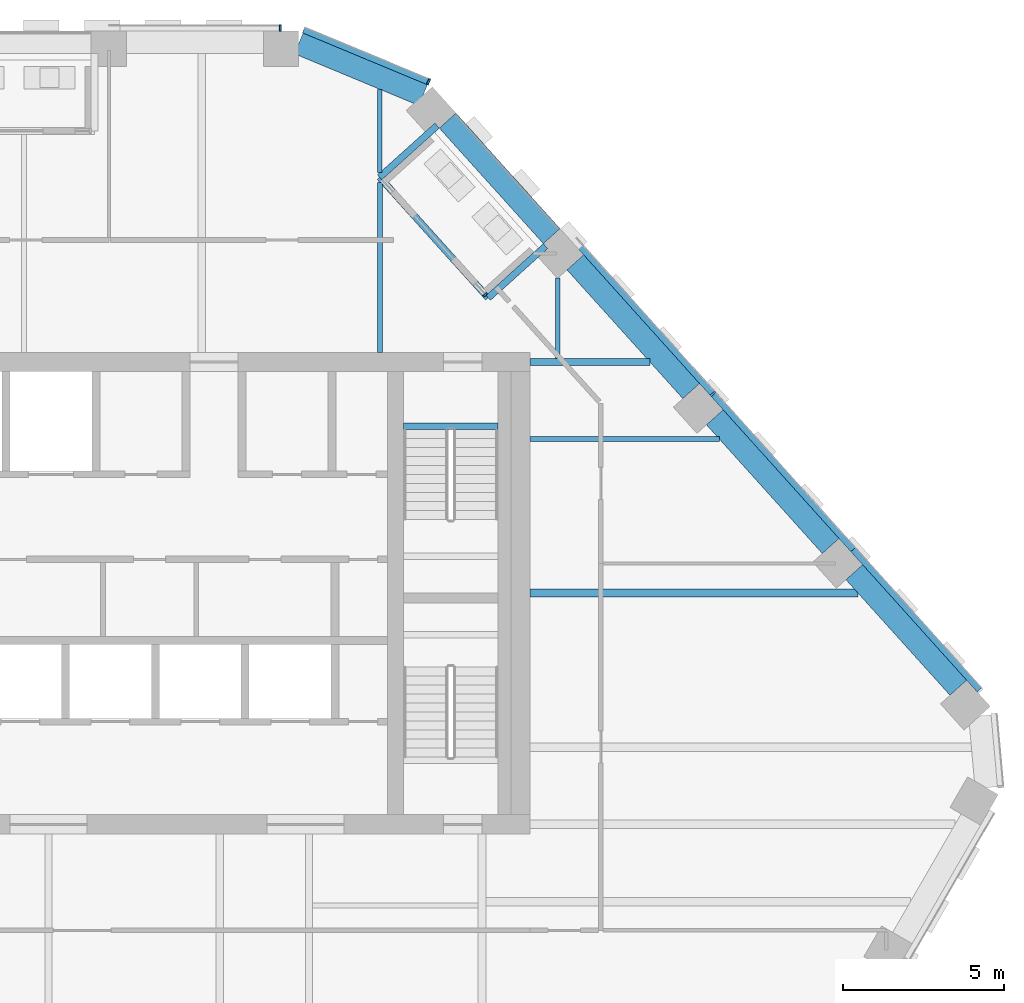
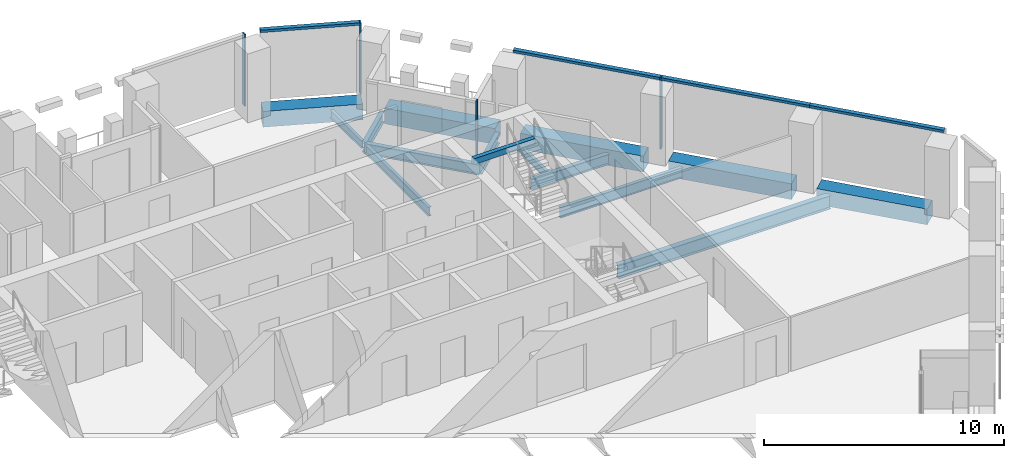
# One storey, part 8 of 24: 15 beams, 8 members, 4 elements without a shape of their own.
"""IFC4 building model written with IfcOpenShell, lengths in metres."""

from ifc_helpers import new_model, si_unit, direction, frame, origin, origin_2d, place, context, subcontext, project, spatial, rectangle, i_section, extrude, material, layer, layer_set, material_profile, profile_set, type_object, element, aggregate, save


model = new_model("IFC4")

# Units and contexts
model_context = context("Model", 3, precision=1e-05, world=origin(), true_north=direction((0.0, 1.0)))
body_context = subcontext(model_context, "Body", "Model", "MODEL_VIEW")
ifc_project = project(units=[si_unit("LENGTHUNIT", "METRE"), si_unit("AREAUNIT", "SQUARE_METRE"), si_unit("VOLUMEUNIT", "CUBIC_METRE"), si_unit("PLANEANGLEUNIT", "RADIAN"), si_unit("MASSUNIT", "GRAM", prefix="KILO")], contexts=[model_context])

# Site, building, storey
site_placement = place(None, origin())
site = spatial("IfcSite", under=ifc_project, at=site_placement, CompositionType="ELEMENT")
building_placement = place(site_placement, origin())
building = spatial("IfcBuilding", under=site, at=building_placement, Name="Isthmus Gate Tower", CompositionType="ELEMENT")
storey_placement = place(building_placement, frame((0.0, 0.0, 234.550048828125)))
storey = spatial("IfcBuildingStorey", under=building, at=storey_placement, Name="L59", CompositionType="ELEMENT", Elevation=234.550048828125)

# Curtain wall, member
ifc_material_1 = material(Name="Aluminium, pale champagne anodised", Category="aluminium")
ifc_layer_1 = layer(ifc_material_1, 0.199951171875)
ifc_layer_set_1 = layer_set([ifc_layer_1], Name="CW-1 UNITISED CURTAIN WALL 200 DEEP")
curtain_wall_type_1 = type_object("IfcCurtainWallType", Name="CW-1 UNITISED CURTAIN WALL 200 DEEP", PredefinedType="NOTDEFINED", material=ifc_layer_set_1)
curtain_wall_1_placement = place(storey_placement, origin())
curtain_wall_1 = element("IfcCurtainWall", 1, at=curtain_wall_1_placement, inside=storey, type_object=curtain_wall_type_1, Name="CW-1 N L59", PredefinedType="NOTDEFINED")
ifc_material_2 = material(Name="Aluminium, pale champagne anodised", Category="aluminium")
ifc_material_profile_1 = material_profile(ifc_material_2, rectangle(XDim=0.06005859375, YDim=0.199951171875, at=origin_2d()), Name="60x200")
ifc_profile_set_1 = profile_set([ifc_material_profile_1], Name="Aluminium, pale champagne anodised")
member_type_1 = type_object("IfcMemberType", Name="CW-1 MULLION 60 X 200", PredefinedType="MULLION", material=ifc_profile_set_1)
member_1_placement = place(storey_placement, frame((7.211181640625, 25.10009765625, 0.0), z_axis=(0.0, 0.0, 1.0), x_axis=(-1.0, 0.0, 0.0)))
member_1 = element("IfcMember", 2, at=member_1_placement, type_object=member_type_1, Name="CW-1 mullion", PredefinedType="MULLION", context=body_context, shape_type="SweptSolid", body=[
    extrude(rectangle(XDim=0.06005859375, YDim=0.199951171875, at=origin_2d()), origin(), (0.0, 0.0, 1.0), 3.64990234375),
])
aggregate(curtain_wall_1, [member_1])

curtain_wall_2_placement = place(storey_placement, origin())
curtain_wall_2 = element("IfcCurtainWall", 3, at=curtain_wall_2_placement, inside=storey, type_object=curtain_wall_type_1, Name="CW-1 NE L59", PredefinedType="NOTDEFINED")
member_2_placement = place(storey_placement, frame((20.696533203125, 13.709228515625, 0.0), z_axis=(0.0, 0.0, 1.0), x_axis=(-0.669130606359, 0.743144825477, 0.0)))
member_2 = element("IfcMember", 4, at=member_2_placement, type_object=member_type_1, Name="CW-1 mullion", PredefinedType="MULLION", context=body_context, shape_type="SweptSolid", body=[
    extrude(rectangle(XDim=0.06005859375, YDim=0.199951171875, at=origin_2d()), origin(), (0.0, 0.0, 1.0), 3.64990234375),
])

curtain_wall_3_placement = place(storey_placement, origin())
curtain_wall_3 = element("IfcCurtainWall", 5, at=curtain_wall_3_placement, inside=storey, type_object=curtain_wall_type_1, Name="CW-1 NE-N L59", PredefinedType="NOTDEFINED")
member_3_placement = place(storey_placement, frame((11.83349609375, 23.427490234375, 0.0), z_axis=(0.0, 0.0, 1.0), x_axis=(-0.923353128387, 0.383951820282, 0.0)))
member_3 = element("IfcMember", 6, at=member_3_placement, type_object=member_type_1, Name="CW-1 mullion", PredefinedType="MULLION", context=body_context, shape_type="SweptSolid", body=[
    extrude(rectangle(XDim=0.06005859375, YDim=0.199951171875, at=origin_2d()), origin(), (0.0, 0.0, 1.0), 3.64990234375),
])

# Member
ifc_material_3 = material(Name="Aluminium, pale champagne anodised", Category="aluminium")
ifc_material_profile_2 = material_profile(ifc_material_3, rectangle(XDim=0.199951171875, YDim=0.1298828125, at=origin_2d()), Name="200x130")
ifc_profile_set_2 = profile_set([ifc_material_profile_2], Name="Aluminium, pale champagne anodised")
member_type_2 = type_object("IfcMemberType", Name="CW-1 TRANSOM 200 X 130", PredefinedType="USERDEFINED", material=ifc_profile_set_2)
member_4_placement = place(storey_placement, frame((28.99609375, 4.491455078125, 3.5849609375), z_axis=(-0.669134411332, 0.743141399447, 0.0), x_axis=(-0.743141399447, -0.669134411332, 0.0)))
member_4 = element("IfcMember", 7, at=member_4_placement, type_object=member_type_2, Name="CW-1 transom", ObjectType="TRANSOM", PredefinedType="USERDEFINED", context=body_context, shape_type="SweptSolid", body=[
    extrude(rectangle(XDim=0.199951171875, YDim=0.1298828125, at=origin_2d()), origin(), (0.0, 0.0, 1.0), 5.8818359375),
])

member_5_placement = place(storey_placement, frame((25.060302734375, 8.862548828125, 3.5849609375), z_axis=(-0.669112239491, 0.743161362668, 0.0), x_axis=(-0.743161362668, -0.669112239491, 0.0)))
member_5 = element("IfcMember", 8, at=member_5_placement, type_object=member_type_2, Name="CW-1 transom", ObjectType="TRANSOM", PredefinedType="USERDEFINED", context=body_context, shape_type="SweptSolid", body=[
    extrude(rectangle(XDim=0.199951171875, YDim=0.1298828125, at=origin_2d()), origin(), (0.0, 0.0, 1.0), 6.49169921875),
])

member_6_placement = place(storey_placement, frame((20.67626953125, 13.7314453125, 3.5849609375), z_axis=(-0.669128292476, 0.7431469089, 0.0), x_axis=(-0.7431469089, -0.669128292476, 0.0)))
member_6 = element("IfcMember", 9, at=member_6_placement, type_object=member_type_2, Name="CW-1 transom", ObjectType="TRANSOM", PredefinedType="USERDEFINED", context=body_context, shape_type="SweptSolid", body=[
    extrude(rectangle(XDim=0.199951171875, YDim=0.1298828125, at=origin_2d()), origin(), (0.0, 0.0, 1.0), 6.431884765625),
])

aggregate(curtain_wall_2, [member_4, member_5, member_2, member_6])

member_7_placement = place(storey_placement, frame((11.8056640625, 23.43896484375, 3.5849609375), z_axis=(-0.923358236369, 0.383939536033, 0.0), x_axis=(-0.383939536033, -0.923358236369, 0.0)))
member_7 = element("IfcMember", 10, at=member_7_placement, type_object=member_type_2, Name="CW-1 transom", ObjectType="TRANSOM", PredefinedType="USERDEFINED", context=body_context, shape_type="SweptSolid", body=[
    extrude(rectangle(XDim=0.199951171875, YDim=0.1298828125, at=origin_2d()), origin(), (0.0, 0.0, 1.0), 4.181640625),
])

aggregate(curtain_wall_3, [member_3, member_7])

# Curtain wall, member
ifc_material_4 = material(Name="Aluminium, pale champagne anodised", Category="aluminium")
ifc_layer_2 = layer(ifc_material_4, 0.14990234375)
ifc_layer_set_2 = layer_set([ifc_layer_2], Name="CW-6 LOGGIA BACK WALL GLAZING 150 DEEP")
curtain_wall_type_2 = type_object("IfcCurtainWallType", Name="CW-6 LOGGIA BACK WALL GLAZING 150 DEEP", PredefinedType="NOTDEFINED", material=ifc_layer_set_2)
curtain_wall_4_placement = place(storey_placement, origin())
curtain_wall_4 = element("IfcCurtainWall", 11, at=curtain_wall_4_placement, inside=storey, type_object=curtain_wall_type_2, Name="CW-6 NE L59", PredefinedType="NOTDEFINED")
ifc_material_5 = material(Name="Aluminium, pale champagne anodised", Category="aluminium")
ifc_material_profile_3 = material_profile(ifc_material_5, rectangle(XDim=0.06005859375, YDim=0.14990234375, at=origin_2d()), Name="60x150")
ifc_profile_set_3 = profile_set([ifc_material_profile_3], Name="Aluminium, pale champagne anodised")
member_type_3 = type_object("IfcMemberType", Name="CW-6 MULLION 60 X 150", PredefinedType="MULLION", material=ifc_profile_set_3)
member_8_placement = place(storey_placement, frame((13.6064453125, 16.801025390625, 0.0), z_axis=(0.0, 0.0, 1.0), x_axis=(-0.669130606359, 0.743144825477, 0.0)))
member_8 = element("IfcMember", 12, at=member_8_placement, type_object=member_type_3, Name="CW-6 mullion", PredefinedType="MULLION", context=body_context, shape_type="SweptSolid", body=[
    extrude(rectangle(XDim=0.06005859375, YDim=0.14990234375, at=origin_2d()), origin(), (0.0, 0.0, 1.0), 3.050048828125),
])
aggregate(curtain_wall_4, [member_8])

# Beams
ifc_material_6 = material(Name="Concrete f'c 50 MPa", Category="concrete")
ifc_material_profile_4 = material_profile(ifc_material_6, rectangle(XDim=0.699951171875, YDim=0.800048828125, at=origin_2d()), Name="RC 700X800")
ifc_profile_set_4 = profile_set([ifc_material_profile_4], Name="Concrete f'c 50 MPa")
beam_type_1 = type_object("IfcBeamType", Name="RC SPANDREL 700 X 800", PredefinedType="SPANDREL", material=ifc_profile_set_4)
beam_1_placement = place(storey_placement, frame((7.791015625, 24.620849609375, -0.400146484375), z_axis=(0.923360646135, -0.383933740597, 0.0), x_axis=(0.383933740597, 0.923360646135, 0.0)))
element("IfcBeam", 13, at=beam_1_placement, inside=storey, type_object=beam_type_1, Name="str-spandrel-L59-00", PredefinedType="SPANDREL", context=body_context, shape_type="SweptSolid", body=[
    extrude(rectangle(XDim=0.699951171875, YDim=0.800048828125, at=origin_2d()), origin(), (0.0, 0.0, 1.0), 4.19677734375),
])
beam_2_placement = place(storey_placement, frame((12.43017578125, 22.21728515625, -0.400146484375), z_axis=(0.669129069044, -0.743146209679, 0.0), x_axis=(0.743146209679, 0.669129069044, 0.0)))
element("IfcBeam", 14, at=beam_2_placement, inside=storey, type_object=beam_type_1, Name="str-spandrel-L59-01", PredefinedType="SPANDREL", context=body_context, shape_type="SweptSolid", body=[
    extrude(rectangle(XDim=0.699951171875, YDim=0.800048828125, at=origin_2d()), origin(), (0.0, 0.0, 1.0), 4.842041015625),
])
beam_3_placement = place(storey_placement, frame((16.40625, 17.801513671875, -0.400146484375), z_axis=(0.669122314994, -0.743152290972, 0.0), x_axis=(0.743152290972, 0.669122314994, 0.0)))
element("IfcBeam", 15, at=beam_3_placement, inside=storey, type_object=beam_type_1, Name="str-spandrel-L59-02", PredefinedType="SPANDREL", context=body_context, shape_type="SweptSolid", body=[
    extrude(rectangle(XDim=0.699951171875, YDim=0.800048828125, at=origin_2d()), origin(), (0.0, 0.0, 1.0), 5.39208984375),
])
beam_4_placement = place(storey_placement, frame((20.75, 12.97705078125, -0.400146484375), z_axis=(0.669144830508, -0.743132017749, 0.0), x_axis=(0.743132017749, 0.669144830508, 0.0)))
element("IfcBeam", 16, at=beam_4_placement, inside=storey, type_object=beam_type_1, Name="str-spandrel-L59-03", PredefinedType="SPANDREL", context=body_context, shape_type="SweptSolid", body=[
    extrude(rectangle(XDim=0.699951171875, YDim=0.800048828125, at=origin_2d()), origin(), (0.0, 0.0, 1.0), 5.391845703125),
])
beam_5_placement = place(storey_placement, frame((25.093994140625, 8.152587890625, -0.400146484375), z_axis=(0.669154141686, -0.743123633499, 0.0), x_axis=(0.743123633499, 0.669154141686, 0.0)))
element("IfcBeam", 17, at=beam_5_placement, inside=storey, type_object=beam_type_1, Name="str-spandrel-L59-04", PredefinedType="SPANDREL", context=body_context, shape_type="SweptSolid", body=[
    extrude(rectangle(XDim=0.699951171875, YDim=0.800048828125, at=origin_2d()), origin(), (0.0, 0.0, 1.0), 4.842041015625),
])
ifc_material_7 = material(Name="Concrete f'c 40 MPa", Category="concrete")
ifc_material_profile_5 = material_profile(ifc_material_7, rectangle(XDim=0.199951171875, YDim=0.300048828125, at=origin_2d()), Name="STAIR LANDING BEAM RC 200 X 300")
ifc_profile_set_5 = profile_set([ifc_material_profile_5], Name="Concrete f'c 40 MPa")
beam_type_2 = type_object("IfcBeamType", Name="STAIR LANDING BEAM RC 200 X 300", PredefinedType="BEAM", material=ifc_profile_set_5)
beam_6_placement = place(storey_placement, frame((11.050048828125, 12.7001953125, 3.349853515625), z_axis=(1.0, 0.0, 0.0), x_axis=(0.0, 1.0, 0.0)))
element("IfcBeam", 18, at=beam_6_placement, inside=storey, type_object=beam_type_2, Name="L59 ST2 floor-edge seat beam", PredefinedType="BEAM", context=body_context, shape_type="SweptSolid", body=[
    extrude(rectangle(XDim=0.199951171875, YDim=0.300048828125, at=origin_2d()), origin(), (0.0, 0.0, 1.0), 2.949951171875),
])
ifc_material_8 = material(Name="Structural steel ASTM A992 Gr 50", Category="steel")
ifc_material_profile_6 = material_profile(ifc_material_8, i_section(OverallWidth=0.1396484375, OverallDepth=0.4033203125, WebThickness=0.00634765625, FlangeThickness=0.010986328125, at=origin_2d()), Name="W16X31")
ifc_profile_set_6 = profile_set([ifc_material_profile_6], Name="Structural steel ASTM A992 Gr 50")
beam_type_3 = type_object("IfcBeamType", Name="STEEL FLOOR BEAM W16X31", PredefinedType="JOIST", material=ifc_profile_set_6)
beam_7_placement = place(storey_placement, frame((10.3193359375, 20.598388671875, -0.3515625), z_axis=(0.0, 1.0, 0.0), x_axis=(-1.0, 0.0, 0.0)))
element("IfcBeam", 19, at=beam_7_placement, inside=storey, type_object=beam_type_3, Name="str-beam-L59-07-06", PredefinedType="JOIST", context=body_context, shape_type="SweptSolid", body=[
    extrude(i_section(OverallWidth=0.1396484375, OverallDepth=0.4033203125, WebThickness=0.00634765625, FlangeThickness=0.010986328125, at=origin_2d()), origin(), (0.0, 0.0, 1.0), 2.59228515625),
])
beam_8_placement = place(storey_placement, frame((15.862060546875, 14.8046875, -0.3515625), z_axis=(0.0, 1.0, 0.0), x_axis=(-1.0, 0.0, 0.0)))
element("IfcBeam", 20, at=beam_8_placement, inside=storey, type_object=beam_type_3, Name="str-beam-L59-07-07", PredefinedType="JOIST", context=body_context, shape_type="SweptSolid", body=[
    extrude(i_section(OverallWidth=0.1396484375, OverallDepth=0.4033203125, WebThickness=0.00634765625, FlangeThickness=0.010986328125, at=origin_2d()), origin(), (0.0, 0.0, 1.0), 2.5068359375),
])
ifc_material_9 = material(Name="Structural steel ASTM A992 Gr 50", Category="steel")
ifc_material_profile_7 = material_profile(ifc_material_9, i_section(OverallWidth=0.15234375, OverallDepth=0.45068359375, WebThickness=0.0078125, FlangeThickness=0.010986328125, at=origin_2d()), Name="W18X35")
ifc_profile_set_7 = profile_set([ifc_material_profile_7], Name="Structural steel ASTM A992 Gr 50")
beam_type_4 = type_object("IfcBeamType", Name="STEEL FLOOR BEAM W18X35", PredefinedType="JOIST", material=ifc_profile_set_7)
beam_9_placement = place(storey_placement, frame((10.3193359375, 15.0, -0.37548828125), z_axis=(0.0, 1.0, 0.0), x_axis=(-1.0, 0.0, 0.0)))
element("IfcBeam", 21, at=beam_9_placement, inside=storey, type_object=beam_type_4, Name="str-beam-L59-07-05", PredefinedType="JOIST", context=body_context, shape_type="SweptSolid", body=[
    extrude(i_section(OverallWidth=0.15234375, OverallDepth=0.45068359375, WebThickness=0.0078125, FlangeThickness=0.010986328125, at=origin_2d()), origin(), (0.0, 0.0, 1.0), 5.2880859375),
])
ifc_material_10 = material(Name="Structural steel ASTM A992 Gr 50", Category="steel")
ifc_material_profile_8 = material_profile(ifc_material_10, i_section(OverallWidth=0.1650390625, OverallDepth=0.52392578125, WebThickness=0.009521484375, FlangeThickness=0.010986328125, at=origin_2d()), Name="W21X44")
ifc_profile_set_8 = profile_set([ifc_material_profile_8], Name="Structural steel ASTM A992 Gr 50")
beam_type_5 = type_object("IfcBeamType", Name="STEEL FLOOR BEAM W21X44", PredefinedType="JOIST", material=ifc_profile_set_8)
beam_10_placement = place(storey_placement, frame((15.0, 12.300048828125, -0.412109375), z_axis=(1.0, 0.0, 0.0), x_axis=(0.0, 1.0, 0.0)))
element("IfcBeam", 22, at=beam_10_placement, inside=storey, type_object=beam_type_5, Name="str-beam-L59-17-02", PredefinedType="JOIST", context=body_context, shape_type="SweptSolid", body=[
    extrude(i_section(OverallWidth=0.1650390625, OverallDepth=0.52392578125, WebThickness=0.009521484375, FlangeThickness=0.010986328125, at=origin_2d()), origin(), (0.0, 0.0, 1.0), 5.888671875),
])
ifc_material_11 = material(Name="Structural steel ASTM A992 Gr 50", Category="steel")
ifc_material_profile_9 = material_profile(ifc_material_11, i_section(OverallWidth=0.25390625, OverallDepth=0.679443359375, WebThickness=0.010986328125, FlangeThickness=0.015869140625, at=origin_2d()), Name="W27X84")
ifc_profile_set_9 = profile_set([ifc_material_profile_9], Name="Structural steel ASTM A992 Gr 50")
beam_type_6 = type_object("IfcBeamType", Name="STEEL FLOOR BEAM W27X84", PredefinedType="JOIST", material=ifc_profile_set_9)
beam_11_placement = place(storey_placement, frame((15.0, 7.5, -0.48974609375), z_axis=(1.0, 0.0, 0.0), x_axis=(0.0, 1.0, 0.0)))
element("IfcBeam", 23, at=beam_11_placement, inside=storey, type_object=beam_type_6, Name="str-beam-L59-17-01", PredefinedType="JOIST", context=body_context, shape_type="SweptSolid", body=[
    extrude(i_section(OverallWidth=0.25390625, OverallDepth=0.679443359375, WebThickness=0.010986328125, FlangeThickness=0.015869140625, at=origin_2d()), origin(), (0.0, 0.0, 1.0), 10.210693359375),
])
ifc_material_12 = material(Name="Structural steel ASTM A992 Gr 50", Category="steel")
ifc_material_profile_10 = material_profile(ifc_material_12, i_section(OverallWidth=0.20947265625, OverallDepth=0.533447265625, WebThickness=0.009521484375, FlangeThickness=0.015869140625, at=origin_2d()), Name="W21X62")
ifc_profile_set_10 = profile_set([ifc_material_profile_10], Name="Structural steel ASTM A992 Gr 50")
beam_type_7 = type_object("IfcBeamType", Name="STEEL GIRDER W21X62", PredefinedType="BEAM", material=ifc_profile_set_10)
beam_12_placement = place(storey_placement, frame((15.0, 14.699951171875, -0.416748046875), z_axis=(1.0, 0.0, 0.0), x_axis=(0.0, 1.0, 0.0)))
element("IfcBeam", 24, at=beam_12_placement, inside=storey, type_object=beam_type_7, Name="str-girder-L59-12", PredefinedType="BEAM", context=body_context, shape_type="SweptSolid", body=[
    extrude(i_section(OverallWidth=0.20947265625, OverallDepth=0.533447265625, WebThickness=0.009521484375, FlangeThickness=0.015869140625, at=origin_2d()), origin(), (0.0, 0.0, 1.0), 3.727783203125),
])
ifc_material_13 = material(Name="Structural steel ASTM A992 Gr 50", Category="steel")
ifc_material_profile_11 = material_profile(ifc_material_13, i_section(OverallWidth=0.20947265625, OverallDepth=0.533447265625, WebThickness=0.009521484375, FlangeThickness=0.015869140625, at=origin_2d()), Name="W21X62")
ifc_profile_set_11 = profile_set([ifc_material_profile_11], Name="Structural steel ASTM A992 Gr 50")
beam_type_8 = type_object("IfcBeamType", Name="STEEL TRIMMER W21X62", PredefinedType="BEAM", material=ifc_profile_set_11)
beam_13_placement = place(storey_placement, frame((13.693115234375, 16.69775390625, -0.416748046875), z_axis=(-0.669140946944, 0.743135514642, 0.0), x_axis=(-0.743135514642, -0.669140946944, 0.0)))
element("IfcBeam", 25, at=beam_13_placement, inside=storey, type_object=beam_type_8, Name="str-loggiatrim-L59-05-B", PredefinedType="BEAM", context=body_context, shape_type="SweptSolid", body=[
    extrude(i_section(OverallWidth=0.20947265625, OverallDepth=0.533447265625, WebThickness=0.009521484375, FlangeThickness=0.015869140625, at=origin_2d()), origin(), (0.0, 0.0, 1.0), 5.051513671875),
])
for number, where, z_axis, x_axis, name in (
    (26, (15.480224609375, 18.306884765625, -0.416748046875), (-0.743142685208, -0.669132983361, 0.0), (0.669132983361, -0.743142685208, 0.0), "str-loggiatrim-L59-05-A"),
    (27, (12.10009765625, 22.060791015625, -0.416748046875), (-0.743142685208, -0.669132983361, 0.0), (0.669132983361, -0.743142685208, 0.0), "str-loggiatrim-L59-05-C"),
):
    element("IfcBeam", number, at=place(storey_placement, frame(where, z_axis=z_axis, x_axis=x_axis)), inside=storey, type_object=beam_type_8, Name=name, PredefinedType="BEAM", context=body_context, shape_type="SweptSolid", body=[
        extrude(i_section(OverallWidth=0.20947265625, OverallDepth=0.533447265625, WebThickness=0.009521484375, FlangeThickness=0.015869140625, at=origin_2d()), origin(), (0.0, 0.0, 1.0), 2.40478515625),
    ])

save(model, "model.ifc")
